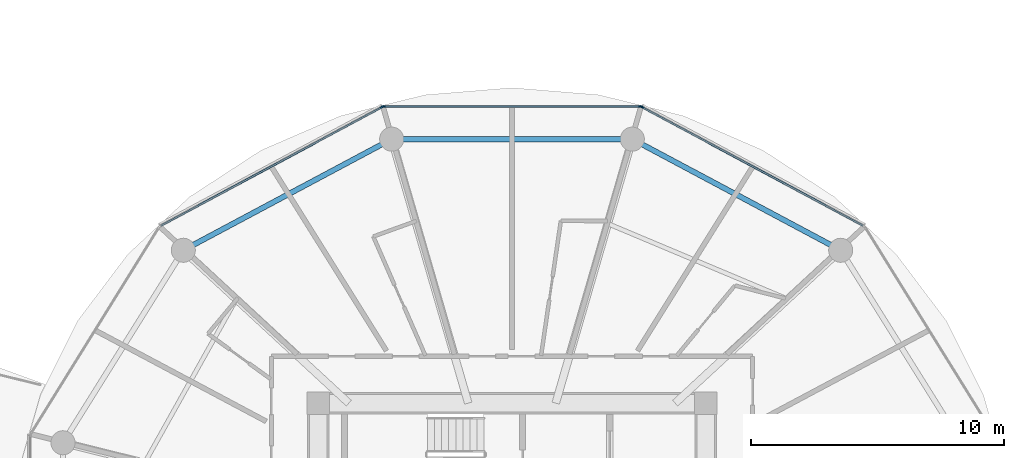
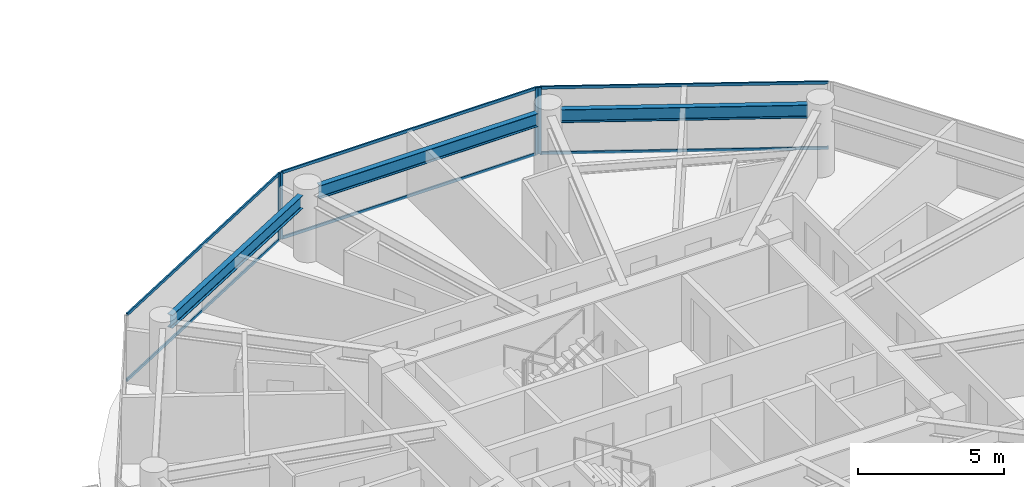
# One storey, part 10 of 28: 10 members, 3 beams, 3 elements without a shape of their own.
"""IFC4 building model written with IfcOpenShell, lengths in metres."""

from ifc_helpers import new_model, si_unit, direction, frame, origin, origin_2d, place, context, subcontext, project, spatial, rectangle, i_section, extrude, source, transform, mapped, material, layer, layer_set, material_profile, profile_set, type_object, type_shapes, element, aggregate, save


model = new_model("IFC4")

# Units and contexts
model_context = context("Model", 3, precision=1e-05, world=origin(), true_north=direction((0.0, 1.0)))
body_context = subcontext(model_context, "Body", "Model", "MODEL_VIEW")
ifc_project = project(units=[si_unit("LENGTHUNIT", "METRE"), si_unit("AREAUNIT", "SQUARE_METRE"), si_unit("VOLUMEUNIT", "CUBIC_METRE"), si_unit("PLANEANGLEUNIT", "RADIAN"), si_unit("MASSUNIT", "GRAM", prefix="KILO")], contexts=[model_context])

# Site, building, storey
site_placement = place(None, origin())
site = spatial("IfcSite", under=ifc_project, at=site_placement, CompositionType="ELEMENT")
building_placement = place(site_placement, origin())
building = spatial("IfcBuilding", under=site, at=building_placement, Name="Norrkilde Senior Care Towers", CompositionType="ELEMENT")
storey_placement = place(building_placement, frame((0.0, 0.0, 39.89990234375)))
storey = spatial("IfcBuildingStorey", under=building, at=storey_placement, Name="L11", CompositionType="ELEMENT", Elevation=39.89990234375)

# Beams
ifc_material_1 = material(Name="Steel S355", Category="steel")
ifc_material_profile_1 = material_profile(ifc_material_1, i_section(OverallWidth=0.2099609375, OverallDepth=0.550048828125, WebThickness=0.010986328125, FlangeThickness=0.01708984375, FilletRadius=0.02392578125, at=origin_2d()), Name="IPE 550")
ifc_profile_set_1 = profile_set([ifc_material_profile_1], Name="Steel S355")
beam_type = type_object("IfcBeamType", Name="Perimeter Ring Spandrel Z1 IPE550", PredefinedType="SPANDREL", material=ifc_profile_set_1)
shared_shape_1 = source(origin(), body_context, "Body", "SweptSolid", [
    extrude(i_section(OverallWidth=0.2099609375, OverallDepth=0.550048828125, WebThickness=0.010986328125, FlangeThickness=0.01708984375, FilletRadius=0.02392578125, at=origin_2d()), origin(), (0.0, 0.0, 1.0), 8.452880859375),
])
for number, where, z_axis, x_axis, name in (
    (1, (-15.408447265625, 12.190185546875, 2.51513671875), (-0.882368931134, 0.470558252898, 0.0), (-0.470558252898, -0.882368931134, 0.0), "L11 Drum W Perimeter Spandrel 02"),
    (2, (-33.133056640625, 16.167724609375, 2.51513671875), (-0.882368931134, -0.470558252898, 0.0), (0.470558252898, -0.882368931134, 0.0), "L11 Drum W Perimeter Spandrel 04"),
):
    element("IfcBeam", number, at=place(storey_placement, frame(where, z_axis=z_axis, x_axis=x_axis)), inside=storey, type_object=beam_type, Name=name, PredefinedType="SPANDREL", context=body_context, shape_type="MappedRepresentation", body=[
        mapped(shared_shape_1, transform((0.0, 0.0, 0.0), x_axis=(1.0, 0.0, 0.0), y_axis=(0.0, 1.0, 0.0), z_axis=(0.0, 0.0, 1.0), scale=1.0)),
    ])
shared_shape_2 = source(origin(), body_context, "Body", "SweptSolid", [
    extrude(i_section(OverallWidth=0.2099609375, OverallDepth=0.550048828125, WebThickness=0.010986328125, FlangeThickness=0.01708984375, FilletRadius=0.02392578125, at=origin_2d()), origin(), (0.0, 0.0, 1.0), 8.62841796875),
])
type_shapes(beam_type, [shared_shape_1, shared_shape_2])
beam_placement = place(storey_placement, frame((-23.685791015625, 16.37255859375, 2.51513671875), z_axis=(-1.0, 0.0, 0.0), x_axis=(0.0, -1.0, 0.0)))
element("IfcBeam", 3, at=beam_placement, inside=storey, type_object=beam_type, Name="L11 Drum W Perimeter Spandrel 03", PredefinedType="SPANDREL", context=body_context, shape_type="MappedRepresentation", body=[
    mapped(shared_shape_2, transform((0.0, 0.0, 0.0), x_axis=(1.0, 0.0, 0.0), y_axis=(0.0, 1.0, 0.0), z_axis=(0.0, 0.0, 1.0), scale=1.0)),
])

# Curtain wall, member
ifc_material_2 = material(Name="Triple Low-E Insulated Glazing", Category="glass")
ifc_layer = layer(ifc_material_2, 0.199951171875)
ifc_layer_set = layer_set([ifc_layer], Name="Triple Low-E Insulated Glazing")
curtain_wall_type = type_object("IfcCurtainWallType", Name="CW2 Zone 1 Memory Care Curtain Wall", PredefinedType="NOTDEFINED", material=ifc_layer_set)
curtain_wall_1_placement = place(storey_placement, origin())
curtain_wall_1 = element("IfcCurtainWall", 4, at=curtain_wall_1_placement, inside=storey, type_object=curtain_wall_type, Name="L11 Drum W Curtain Wall 01", PredefinedType="NOTDEFINED")
ifc_material_3 = material(Name="Anodised Aluminium", Category="aluminium")
ifc_material_profile_2 = material_profile(ifc_material_3, rectangle(XDim=0.06494140625, YDim=0.159912109375, at=origin_2d()), Name="ALU MULL 65x160")
ifc_profile_set_2 = profile_set([ifc_material_profile_2], Name="Anodised Aluminium")
member_type_1 = type_object("IfcMemberType", Name="Curtain Wall Mullion Z1-Z2 65x160", PredefinedType="MULLION", material=ifc_profile_set_2)
shared_shape_3 = source(origin(), body_context, "Body", "SweptSolid", [
    extrude(rectangle(XDim=0.06494140625, YDim=0.159912109375, at=origin_2d()), origin(), (0.0, 0.0, 1.0), 2.7900390625),
])
type_shapes(member_type_1, [shared_shape_3])
member_1_placement = place(storey_placement, frame((-22.877685546875, 17.641845703125, 0.0), z_axis=(0.0, 0.0, 1.0), x_axis=(0.472607802456, 0.881272866403, 0.0)))
member_1 = element("IfcMember", 5, at=member_1_placement, type_object=member_type_1, Name="CW-2 mullion 1", PredefinedType="MULLION", context=body_context, shape_type="MappedRepresentation", body=[
    mapped(shared_shape_3, transform((0.0, 0.0, 0.0), x_axis=(1.0, 0.0, 0.0), y_axis=(0.0, 1.0, 0.0), z_axis=(0.0, 0.0, 1.0), scale=1.0)),
])

# Curtain wall, members
curtain_wall_2_placement = place(storey_placement, origin())
curtain_wall_2 = element("IfcCurtainWall", 6, at=curtain_wall_2_placement, inside=storey, type_object=curtain_wall_type, Name="L11 Drum W Curtain Wall 02", PredefinedType="NOTDEFINED")
member_2_placement = place(storey_placement, frame((-33.06103515625, 17.6572265625, 0.0), z_axis=(0.0, 0.0, 1.0), x_axis=(0.0, 1.0, 0.0)))
member_2 = element("IfcMember", 7, at=member_2_placement, type_object=member_type_1, Name="CW-2 mullion 1", PredefinedType="MULLION", context=body_context, shape_type="MappedRepresentation", body=[
    mapped(shared_shape_3, transform((0.0, 0.0, 0.0), x_axis=(1.0, 0.0, 0.0), y_axis=(0.0, 1.0, 0.0), z_axis=(0.0, 0.0, 1.0), scale=1.0)),
])
member_3_placement = place(storey_placement, frame((-22.93896484375, 17.6572265625, 0.0), z_axis=(0.0, 0.0, 1.0), x_axis=(0.0, 1.0, 0.0)))
member_3 = element("IfcMember", 8, at=member_3_placement, type_object=member_type_1, Name="CW-2 mullion 2", PredefinedType="MULLION", context=body_context, shape_type="MappedRepresentation", body=[
    mapped(shared_shape_3, transform((0.0, 0.0, 0.0), x_axis=(1.0, 0.0, 0.0), y_axis=(0.0, 1.0, 0.0), z_axis=(0.0, 0.0, 1.0), scale=1.0)),
])

# Curtain wall, member
curtain_wall_3_placement = place(storey_placement, origin())
curtain_wall_3 = element("IfcCurtainWall", 9, at=curtain_wall_3_placement, inside=storey, type_object=curtain_wall_type, Name="L11 Drum W Curtain Wall 03", PredefinedType="NOTDEFINED")
member_4_placement = place(storey_placement, frame((-33.122314453125, 17.641845703125, 0.0), z_axis=(0.0, 0.0, 1.0), x_axis=(-0.472607802456, 0.881272866403, 0.0)))
member_4 = element("IfcMember", 10, at=member_4_placement, type_object=member_type_1, Name="CW-2 mullion 2", PredefinedType="MULLION", context=body_context, shape_type="MappedRepresentation", body=[
    mapped(shared_shape_3, transform((0.0, 0.0, 0.0), x_axis=(1.0, 0.0, 0.0), y_axis=(0.0, 1.0, 0.0), z_axis=(0.0, 0.0, 1.0), scale=1.0)),
])

# Member
ifc_material_profile_3 = material_profile(ifc_material_3, rectangle(XDim=0.06005859375, YDim=0.1201171875, at=origin_2d()), Name="ALU TRAN 60x120")
ifc_profile_set_3 = profile_set([ifc_material_profile_3], Name="Anodised Aluminium")
member_type_2 = type_object("IfcMemberType", Name="Curtain Wall Transom Typical 60x120", PredefinedType="USERDEFINED", material=ifc_profile_set_3)
shared_shape_4 = source(origin(), body_context, "Body", "SweptSolid", [
    extrude(rectangle(XDim=0.06005859375, YDim=0.1201171875, at=origin_2d()), origin(), (0.0, 0.0, 1.0), 9.880859375),
])
member_5_placement = place(storey_placement, frame((-22.84912109375, 17.62646484375, 0.030029296875), z_axis=(0.881267204043, -0.47261836092, 0.0), x_axis=(0.47261836092, 0.881267204043, 0.0)))
member_5 = element("IfcMember", 11, at=member_5_placement, type_object=member_type_2, Name="CW-2 transom 1.1", ObjectType="TRANSOM", PredefinedType="USERDEFINED", context=body_context, shape_type="MappedRepresentation", body=[
    mapped(shared_shape_4, transform((0.0, 0.0, 0.0), x_axis=(1.0, 0.0, 0.0), y_axis=(0.0, 1.0, 0.0), z_axis=(0.0, 0.0, 1.0), scale=1.0)),
])

member_6_placement = place(storey_placement, frame((-22.84912109375, 17.62646484375, 2.760009765625), z_axis=(0.881267204043, -0.47261836092, 0.0), x_axis=(0.47261836092, 0.881267204043, 0.0)))
member_6 = element("IfcMember", 12, at=member_6_placement, type_object=member_type_2, Name="CW-2 transom 1.2", ObjectType="TRANSOM", PredefinedType="USERDEFINED", context=body_context, shape_type="MappedRepresentation", body=[
    mapped(shared_shape_4, transform((0.0, 0.0, 0.0), x_axis=(1.0, 0.0, 0.0), y_axis=(0.0, 1.0, 0.0), z_axis=(0.0, 0.0, 1.0), scale=1.0)),
])

aggregate(curtain_wall_1, [member_1, member_5, member_6])

member_7_placement = place(storey_placement, frame((-41.858642578125, 12.95654296875, 0.030029296875), z_axis=(0.881267204043, 0.47261836092, 0.0), x_axis=(-0.47261836092, 0.881267204043, 0.0)))
member_7 = element("IfcMember", 13, at=member_7_placement, type_object=member_type_2, Name="CW-2 transom 1.1", ObjectType="TRANSOM", PredefinedType="USERDEFINED", context=body_context, shape_type="MappedRepresentation", body=[
    mapped(shared_shape_4, transform((0.0, 0.0, 0.0), x_axis=(1.0, 0.0, 0.0), y_axis=(0.0, 1.0, 0.0), z_axis=(0.0, 0.0, 1.0), scale=1.0)),
])

member_8_placement = place(storey_placement, frame((-41.858642578125, 12.95654296875, 2.760009765625), z_axis=(0.881267204043, 0.47261836092, 0.0), x_axis=(-0.47261836092, 0.881267204043, 0.0)))
member_8 = element("IfcMember", 14, at=member_8_placement, type_object=member_type_2, Name="CW-2 transom 1.2", ObjectType="TRANSOM", PredefinedType="USERDEFINED", context=body_context, shape_type="MappedRepresentation", body=[
    mapped(shared_shape_4, transform((0.0, 0.0, 0.0), x_axis=(1.0, 0.0, 0.0), y_axis=(0.0, 1.0, 0.0), z_axis=(0.0, 0.0, 1.0), scale=1.0)),
])

aggregate(curtain_wall_3, [member_4, member_7, member_8])

shared_shape_5 = source(origin(), body_context, "Body", "SweptSolid", [
    extrude(rectangle(XDim=0.06005859375, YDim=0.1201171875, at=origin_2d()), origin(), (0.0, 0.0, 1.0), 10.05712890625),
])
type_shapes(member_type_2, [shared_shape_4, shared_shape_5])
member_9_placement = place(storey_placement, frame((-33.028564453125, 17.6572265625, 0.030029296875), z_axis=(1.0, 0.0, 0.0), x_axis=(0.0, 1.0, 0.0)))
member_9 = element("IfcMember", 15, at=member_9_placement, type_object=member_type_2, Name="CW-2 transom 1.1", ObjectType="TRANSOM", PredefinedType="USERDEFINED", context=body_context, shape_type="MappedRepresentation", body=[
    mapped(shared_shape_5, transform((0.0, 0.0, 0.0), x_axis=(1.0, 0.0, 0.0), y_axis=(0.0, 1.0, 0.0), z_axis=(0.0, 0.0, 1.0), scale=1.0)),
])

member_10_placement = place(storey_placement, frame((-33.028564453125, 17.6572265625, 2.760009765625), z_axis=(1.0, 0.0, 0.0), x_axis=(0.0, 1.0, 0.0)))
member_10 = element("IfcMember", 16, at=member_10_placement, type_object=member_type_2, Name="CW-2 transom 1.2", ObjectType="TRANSOM", PredefinedType="USERDEFINED", context=body_context, shape_type="MappedRepresentation", body=[
    mapped(shared_shape_5, transform((0.0, 0.0, 0.0), x_axis=(1.0, 0.0, 0.0), y_axis=(0.0, 1.0, 0.0), z_axis=(0.0, 0.0, 1.0), scale=1.0)),
])

aggregate(curtain_wall_2, [member_2, member_3, member_9, member_10])

save(model, "model.ifc")
